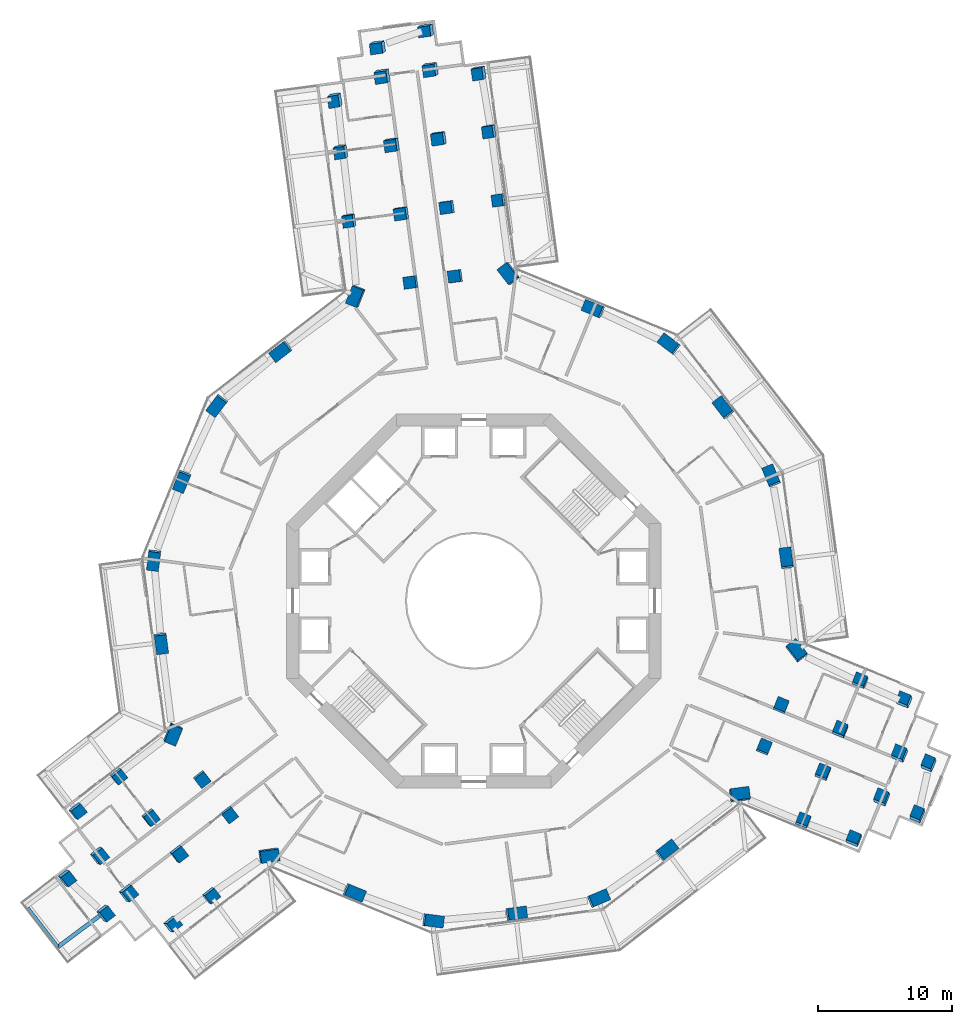
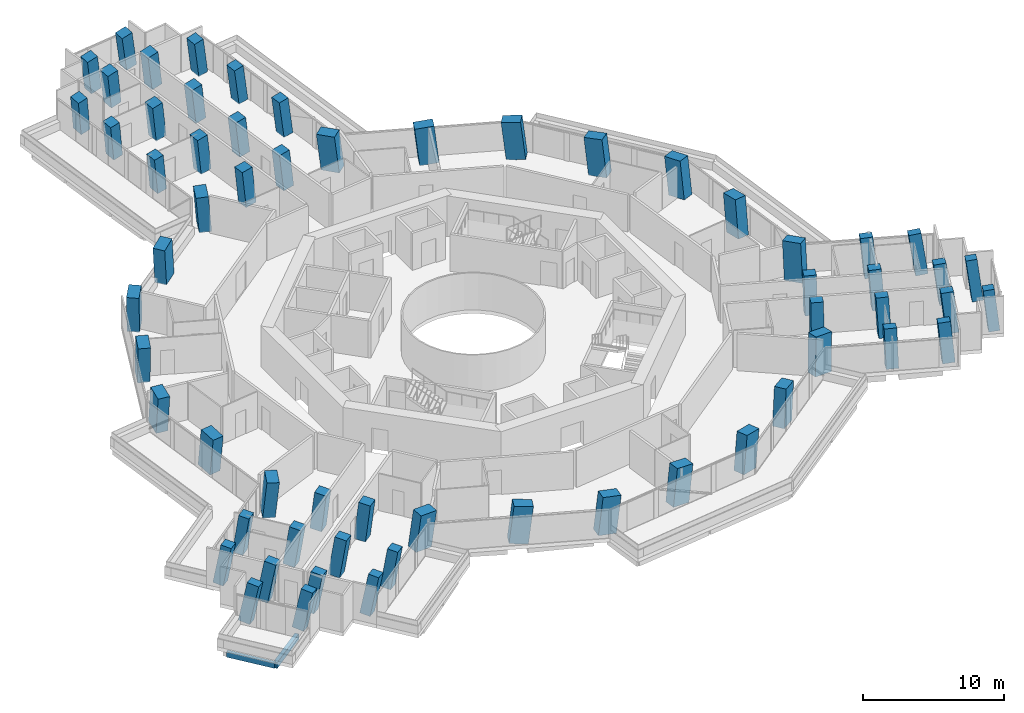
# One storey, part 1 of 27: 61 columns, 2 beams.
"""IFC4 building model written with IfcOpenShell, lengths in metres."""

from ifc_helpers import new_model, si_unit, direction, frame, origin, origin_2d, place, context, subcontext, project, spatial, rectangle, extrude, material, material_profile, profile_set, type_object, element, save


model = new_model("IFC4")

# Units and contexts
model_context = context("Model", 3, precision=1e-05, world=origin(), true_north=direction((0.0, 1.0)))
body_context = subcontext(model_context, "Body", "Model", "MODEL_VIEW")
ifc_project = project(units=[si_unit("LENGTHUNIT", "METRE"), si_unit("AREAUNIT", "SQUARE_METRE"), si_unit("VOLUMEUNIT", "CUBIC_METRE"), si_unit("PLANEANGLEUNIT", "RADIAN"), si_unit("MASSUNIT", "GRAM", prefix="KILO")], contexts=[model_context])

# Site, building, storey
site_placement = place(None, origin())
site = spatial("IfcSite", under=ifc_project, at=site_placement, CompositionType="ELEMENT")
building_placement = place(site_placement, origin())
building = spatial("IfcBuilding", under=site, at=building_placement, Name="Verdalira Terraces Hotel", CompositionType="ELEMENT")
storey_placement = place(building_placement, frame((0.0, 0.0, 64.5)))
storey = spatial("IfcBuildingStorey", under=building, at=storey_placement, Name="L14", CompositionType="ELEMENT", Elevation=64.5)

# Columns
ifc_material_1 = material(Name="Concrete C80", Category="concrete")
ifc_material_profile_1 = material_profile(ifc_material_1, rectangle(XDim=1.399902, YDim=0.899902, at=origin_2d()), Name="RC 1400X900")
ifc_profile_set_1 = profile_set([ifc_material_profile_1], Name="Concrete C80")
column_type_1 = type_object("IfcColumnType", Name="Column RC 1400X900 C80", PredefinedType="COLUMN", material=ifc_profile_set_1)
column_1_placement = place(storey_placement, frame((-8.807617, 22.8125, 0.0), z_axis=(-0.1080941, -0.04279675, 0.993219061), x_axis=(0.372136105, 0.924694269, 0.080344437)))
element("IfcColumn", 1, at=column_1_placement, inside=storey, type_object=column_type_1, Name="Column C07", PredefinedType="COLUMN", context=body_context, shape_type="SweptSolid", body=[
    extrude(rectangle(XDim=1.399902, YDim=0.899902, at=origin_2d()), origin(), (0.0, 0.0, 1.0), 3.21167),
])
column_2_placement = place(storey_placement, frame((-14.430664, 18.68457, 0.0), z_axis=(-0.088294712, -0.06935812, 0.993676756), x_axis=(-0.786596999, -0.607173413, -0.112274703)))
element("IfcColumn", 2, at=column_2_placement, inside=storey, type_object=column_type_1, Name="Column C08", PredefinedType="COLUMN", context=body_context, shape_type="SweptSolid", body=[
    extrude(rectangle(XDim=1.399902, YDim=0.899902, at=origin_2d()), origin(), (0.0, 0.0, 1.0), 3.210205),
])
column_3_placement = place(storey_placement, frame((-19.206543, 14.64209, 0.0), z_axis=(-0.068881333, -0.091917805, 0.993381336), x_axis=(0.602440635, 0.789856126, 0.114858968)))
element("IfcColumn", 3, at=column_3_placement, inside=storey, type_object=column_type_1, Name="Column C09", PredefinedType="COLUMN", context=body_context, shape_type="SweptSolid", body=[
    extrude(rectangle(XDim=1.399902, YDim=0.899902, at=origin_2d()), origin(), (0.0, 0.0, 1.0), 3.211182),
])
column_4_placement = place(storey_placement, frame((-21.8396, 8.966064, 0.0), z_axis=(-0.041751597, -0.104264917, 0.993672799), x_axis=(-0.377203026, -0.919295603, -0.112309715)))
element("IfcColumn", 4, at=column_4_placement, inside=storey, type_object=column_type_1, Name="Column C10", PredefinedType="COLUMN", context=body_context, shape_type="SweptSolid", body=[
    extrude(rectangle(XDim=1.399902, YDim=0.899902, at=origin_2d()), origin(), (0.0, 0.0, 1.0), 3.210205),
])
column_5_placement = place(storey_placement, frame((-23.954346, 3.077148, 0.0), z_axis=(-0.013685038, -0.11404198, 0.993381672), x_axis=(0.126725729, 0.985265789, 0.114856063)))
element("IfcColumn", 5, at=column_5_placement, inside=storey, type_object=column_type_1, Name="Column C11", PredefinedType="COLUMN", context=body_context, shape_type="SweptSolid", body=[
    extrude(rectangle(XDim=1.399902, YDim=0.899902, at=origin_2d()), origin(), (0.0, 0.0, 1.0), 3.211182),
])
column_6_placement = place(storey_placement, frame((-23.396484, -3.155029, 0.0), z_axis=(0.015894502, -0.111185465, 0.99367256), x_axis=(0.132268988, -0.984830426, -0.112311825)))
element("IfcColumn", 6, at=column_6_placement, inside=storey, type_object=column_type_1, Name="Column C12", PredefinedType="COLUMN", context=body_context, shape_type="SweptSolid", body=[
    extrude(rectangle(XDim=1.399902, YDim=0.899902, at=origin_2d()), origin(), (0.0, 0.0, 1.0), 3.210205),
])
column_7_placement = place(storey_placement, frame((-22.53125, -9.946777, 0.0), z_axis=(0.048189103, -0.106715301, 0.993121168), x_axis=(0.384858394, 0.91949082, 0.080128952)))
element("IfcColumn", 7, at=column_7_placement, inside=storey, type_object=column_type_1, Name="Column C13", PredefinedType="COLUMN", context=body_context, shape_type="SweptSolid", body=[
    extrude(rectangle(XDim=1.399902, YDim=0.899902, at=origin_2d()), origin(), (0.0, 0.0, 1.0), 3.212158),
])
column_8_placement = place(storey_placement, frame((-15.352295, -19.033936, 0.0), z_axis=(0.091066973, -0.072215046, 0.993222932), x_axis=(-0.986912267, -0.139830688, 0.080321578)))
element("IfcColumn", 8, at=column_8_placement, inside=storey, type_object=column_type_1, Name="Column C20", PredefinedType="COLUMN", context=body_context, shape_type="SweptSolid", body=[
    extrude(rectangle(XDim=1.399902, YDim=0.899902, at=origin_2d()), origin(), (0.0, 0.0, 1.0), 3.21167),
])
column_9_placement = place(storey_placement, frame((-8.966064, -21.8396, 0.0), z_axis=(0.104264917, -0.041751597, 0.993672799), x_axis=(0.919295603, -0.377203026, -0.112309715)))
element("IfcColumn", 9, at=column_9_placement, inside=storey, type_object=column_type_1, Name="Column C21", PredefinedType="COLUMN", context=body_context, shape_type="SweptSolid", body=[
    extrude(rectangle(XDim=1.399902, YDim=0.899902, at=origin_2d()), origin(), (0.0, 0.0, 1.0), 3.210205),
])
column_10_placement = place(storey_placement, frame((-3.077148, -23.954346, 0.0), z_axis=(0.11404198, -0.013685038, 0.993381672), x_axis=(-0.985265789, 0.126725729, 0.114856063)))
element("IfcColumn", 10, at=column_10_placement, inside=storey, type_object=column_type_1, Name="Column C22", PredefinedType="COLUMN", context=body_context, shape_type="SweptSolid", body=[
    extrude(rectangle(XDim=1.399902, YDim=0.899902, at=origin_2d()), origin(), (0.0, 0.0, 1.0), 3.211182),
])
column_11_placement = place(storey_placement, frame((3.155029, -23.396484, 0.0), z_axis=(0.111185465, 0.015894502, 0.99367256), x_axis=(0.984830426, 0.132268988, -0.112311825)))
element("IfcColumn", 11, at=column_11_placement, inside=storey, type_object=column_type_1, Name="Column C23", PredefinedType="COLUMN", context=body_context, shape_type="SweptSolid", body=[
    extrude(rectangle(XDim=1.399902, YDim=0.899902, at=origin_2d()), origin(), (0.0, 0.0, 1.0), 3.210205),
])
column_12_placement = place(storey_placement, frame((9.312256, -22.283691, 0.0), z_axis=(0.105602947, 0.045160656, 0.99338237), x_axis=(-0.916651807, -0.382830166, 0.114850029)))
element("IfcColumn", 12, at=column_12_placement, inside=storey, type_object=column_type_1, Name="Column C24", PredefinedType="COLUMN", context=body_context, shape_type="SweptSolid", body=[
    extrude(rectangle(XDim=1.399902, YDim=0.899902, at=origin_2d()), origin(), (0.0, 0.0, 1.0), 3.211182),
])
column_13_placement = place(storey_placement, frame((14.430664, -18.68457, 0.0), z_axis=(0.088294712, 0.06935812, 0.993676756), x_axis=(0.786596999, 0.607173413, -0.112274703)))
element("IfcColumn", 13, at=column_13_placement, inside=storey, type_object=column_type_1, Name="Column C25", PredefinedType="COLUMN", context=body_context, shape_type="SweptSolid", body=[
    extrude(rectangle(XDim=1.399902, YDim=0.899902, at=origin_2d()), origin(), (0.0, 0.0, 1.0), 3.210205),
])
column_14_placement = place(storey_placement, frame((19.879639, -14.539307, 0.0), z_axis=(0.06833123, 0.095086061, 0.993121082), x_axis=(-0.988741135, -0.12637341, 0.080129452)))
element("IfcColumn", 14, at=column_14_placement, inside=storey, type_object=column_type_1, Name="Column C26", PredefinedType="COLUMN", context=body_context, shape_type="SweptSolid", body=[
    extrude(rectangle(XDim=1.399902, YDim=0.899902, at=origin_2d()), origin(), (0.0, 0.0, 1.0), 3.212158),
])
column_15_placement = place(storey_placement, frame((24.159912, -3.778564, 0.0), z_axis=(0.017027467, 0.115011417, 0.993218223), x_axis=(0.614451168, -0.784852686, 0.080349384)))
element("IfcColumn", 15, at=column_15_placement, inside=storey, type_object=column_type_1, Name="Column C33", PredefinedType="COLUMN", context=body_context, shape_type="SweptSolid", body=[
    extrude(rectangle(XDim=1.399902, YDim=0.899902, at=origin_2d()), origin(), (0.0, 0.0, 1.0), 3.21167),
])
column_16_placement = place(storey_placement, frame((23.396484, 3.155029, 0.0), z_axis=(-0.015894502, 0.111185465, 0.99367256), x_axis=(-0.132268988, 0.984830426, -0.112311825)))
element("IfcColumn", 16, at=column_16_placement, inside=storey, type_object=column_type_1, Name="Column C34", PredefinedType="COLUMN", context=body_context, shape_type="SweptSolid", body=[
    extrude(rectangle(XDim=1.399902, YDim=0.899902, at=origin_2d()), origin(), (0.0, 0.0, 1.0), 3.210205),
])
column_17_placement = place(storey_placement, frame((22.283691, 9.312256, 0.0), z_axis=(-0.045160656, 0.105602947, 0.99338237), x_axis=(0.382830166, -0.916651807, 0.114850029)))
element("IfcColumn", 17, at=column_17_placement, inside=storey, type_object=column_type_1, Name="Column C35", PredefinedType="COLUMN", context=body_context, shape_type="SweptSolid", body=[
    extrude(rectangle(XDim=1.399902, YDim=0.899902, at=origin_2d()), origin(), (0.0, 0.0, 1.0), 3.211182),
])
column_18_placement = place(storey_placement, frame((18.68457, 14.430664, 0.0), z_axis=(-0.06935812, 0.088294712, 0.993676756), x_axis=(-0.607173413, 0.786596999, -0.112274703)))
element("IfcColumn", 18, at=column_18_placement, inside=storey, type_object=column_type_1, Name="Column C36", PredefinedType="COLUMN", context=body_context, shape_type="SweptSolid", body=[
    extrude(rectangle(XDim=1.399902, YDim=0.899902, at=origin_2d()), origin(), (0.0, 0.0, 1.0), 3.210205),
])
column_19_placement = place(storey_placement, frame((14.64209, 19.206543, 0.0), z_axis=(-0.091917805, 0.068881333, 0.993381336), x_axis=(0.789856126, -0.602440635, 0.114858968)))
element("IfcColumn", 19, at=column_19_placement, inside=storey, type_object=column_type_1, Name="Column C37", PredefinedType="COLUMN", context=body_context, shape_type="SweptSolid", body=[
    extrude(rectangle(XDim=1.399902, YDim=0.899902, at=origin_2d()), origin(), (0.0, 0.0, 1.0), 3.211182),
])
column_20_placement = place(storey_placement, frame((8.966064, 21.8396, 0.0), z_axis=(-0.104264917, 0.041751597, 0.993672799), x_axis=(-0.919295603, 0.377203026, -0.112309715)))
element("IfcColumn", 20, at=column_20_placement, inside=storey, type_object=column_type_1, Name="Column C38", PredefinedType="COLUMN", context=body_context, shape_type="SweptSolid", body=[
    extrude(rectangle(XDim=1.399902, YDim=0.899902, at=origin_2d()), origin(), (0.0, 0.0, 1.0), 3.210205),
])
column_21_placement = place(storey_placement, frame((2.651611, 24.48584, 0.0), z_axis=(-0.116595204, 0.011629118, 0.993111435), x_axis=(0.603892011, -0.793022532, 0.080185427)))
element("IfcColumn", 21, at=column_21_placement, inside=storey, type_object=column_type_1, Name="Column C39", PredefinedType="COLUMN", context=body_context, shape_type="SweptSolid", body=[
    extrude(rectangle(XDim=1.399902, YDim=0.899902, at=origin_2d()), origin(), (0.0, 0.0, 1.0), 3.212158),
])
ifc_material_2 = material(Name="Concrete C80", Category="concrete")
ifc_material_profile_2 = material_profile(ifc_material_2, rectangle(XDim=0.899902, YDim=0.800049, at=origin_2d()), Name="RC 900X800")
ifc_profile_set_2 = profile_set([ifc_material_profile_2], Name="Concrete C80")
column_type_2 = type_object("IfcColumnType", Name="Column RC 900X800 C80", PredefinedType="COLUMN", material=ifc_profile_set_2)
column_22_placement = place(storey_placement, frame((1.90918, 29.989502, 0.0), z_axis=(-0.13679197, -0.027888889, 0.990207133), x_axis=(-0.135147169, 0.990782496, 0.009235215)))
element("IfcColumn", 22, at=column_22_placement, inside=storey, type_object=column_type_2, Name="Column C01", PredefinedType="COLUMN", context=body_context, shape_type="SweptSolid", body=[
    extrude(rectangle(XDim=0.899902, YDim=0.800049, at=origin_2d()), origin(), (0.0, 0.0, 1.0), 3.221436),
])
column_23_placement = place(storey_placement, frame((1.213379, 35.149902, 0.0), z_axis=(-0.155094744, -0.066835576, 0.985636153), x_axis=(-0.141169608, 0.988969066, 0.04484784)))
element("IfcColumn", 23, at=column_23_placement, inside=storey, type_object=column_type_2, Name="Column C02", PredefinedType="COLUMN", context=body_context, shape_type="SweptSolid", body=[
    extrude(rectangle(XDim=0.899902, YDim=0.800049, at=origin_2d()), origin(), (0.0, 0.0, 1.0), 3.236328),
])
column_24_placement = place(storey_placement, frame((0.460693, 39.5354, 0.0), z_axis=(-0.169415621, -0.105369167, 0.979895753), x_axis=(-0.147584583, 0.98576925, 0.080484634)))
element("IfcColumn", 24, at=column_24_placement, inside=storey, type_object=column_type_2, Name="Column C03", PredefinedType="COLUMN", context=body_context, shape_type="SweptSolid", body=[
    extrude(rectangle(XDim=0.899902, YDim=0.800049, at=origin_2d()), origin(), (0.0, 0.0, 1.0), 3.255371),
])
column_25_placement = place(storey_placement, frame((-10.309082, 37.53833, 0.0), z_axis=(-0.158802953, -0.15507168, 0.975056099), x_axis=(0.155878874, -0.979139856, -0.130333872)))
element("IfcColumn", 25, at=column_25_placement, inside=storey, type_object=column_type_2, Name="Column C04", PredefinedType="COLUMN", context=body_context, shape_type="SweptSolid", body=[
    extrude(rectangle(XDim=0.899902, YDim=0.800049, at=origin_2d()), origin(), (0.0, 0.0, 1.0), 3.271484),
])
column_26_placement = place(storey_placement, frame((-9.885986, 33.653076, 0.0), z_axis=(-0.147079078, -0.118670344, 0.98198019), x_axis=(0.148753072, -0.984139744, -0.096651377)))
element("IfcColumn", 26, at=column_26_placement, inside=storey, type_object=column_type_2, Name="Column C05", PredefinedType="COLUMN", context=body_context, shape_type="SweptSolid", body=[
    extrude(rectangle(XDim=0.899902, YDim=0.800049, at=origin_2d()), origin(), (0.0, 0.0, 1.0), 3.248535),
])
column_27_placement = place(storey_placement, frame((-9.279297, 28.480713, 0.0), z_axis=(-0.128972189, -0.080711628, 0.988358137), x_axis=(0.142138052, -0.987895303, -0.062126045)))
element("IfcColumn", 27, at=column_27_placement, inside=storey, type_object=column_type_2, Name="Column C06", PredefinedType="COLUMN", context=body_context, shape_type="SweptSolid", body=[
    extrude(rectangle(XDim=0.899902, YDim=0.800049, at=origin_2d()), origin(), (0.0, 0.0, 1.0), 3.227539),
])
column_28_placement = place(storey_placement, frame((-26.612549, -13.098877, 0.0), z_axis=(0.105489502, -0.091772836, 0.990176606), x_axis=(-0.788757763, -0.614105882, 0.027113775)))
element("IfcColumn", 28, at=column_28_placement, inside=storey, type_object=column_type_2, Name="Column C14", PredefinedType="COLUMN", context=body_context, shape_type="SweptSolid", body=[
    extrude(rectangle(XDim=0.899902, YDim=0.800049, at=origin_2d()), origin(), (0.0, 0.0, 1.0), 3.22168),
])
column_29_placement = place(storey_placement, frame((-29.720459, -15.701416, 0.0), z_axis=(0.159373718, -0.072189136, 0.984575414), x_axis=(-0.781047677, -0.619192026, 0.08102938)))
element("IfcColumn", 29, at=column_29_placement, inside=storey, type_object=column_type_2, Name="Column C15", PredefinedType="COLUMN", context=body_context, shape_type="SweptSolid", body=[
    extrude(rectangle(XDim=0.899902, YDim=0.800049, at=origin_2d()), origin(), (0.0, 0.0, 1.0), 3.23999),
])
column_30_placement = place(storey_placement, frame((-30.523438, -20.731201, 0.0), z_axis=(0.182323085, -0.075405226, 0.980342973), x_axis=(0.588836559, -0.790110613, -0.17028425)))
element("IfcColumn", 30, at=column_30_placement, inside=storey, type_object=column_type_2, Name="Column C16", PredefinedType="COLUMN", context=body_context, shape_type="SweptSolid", body=[
    extrude(rectangle(XDim=0.899902, YDim=0.800049, at=origin_2d()), origin(), (0.0, 0.0, 1.0), 3.253906),
])
column_31_placement = place(storey_placement, frame((-27.653809, -23.366943, 0.0), z_axis=(0.194286462, -0.061740087, 0.978999965), x_axis=(0.587088324, -0.792221369, -0.166471026)))
element("IfcColumn", 31, at=column_31_placement, inside=storey, type_object=column_type_2, Name="Column C17", PredefinedType="COLUMN", context=body_context, shape_type="SweptSolid", body=[
    extrude(rectangle(XDim=0.899902, YDim=0.800049, at=origin_2d()), origin(), (0.0, 0.0, 1.0), 3.258301),
])
column_32_placement = place(storey_placement, frame((-22.624023, -24.169922, 0.0), z_axis=(0.197976725, -0.038156059, 0.979463798), x_axis=(0.771836187, 0.622015609, -0.131778159)))
element("IfcColumn", 32, at=column_32_placement, inside=storey, type_object=column_type_2, Name="Column C18", PredefinedType="COLUMN", context=body_context, shape_type="SweptSolid", body=[
    extrude(rectangle(XDim=0.899902, YDim=0.800049, at=origin_2d()), origin(), (0.0, 0.0, 1.0), 3.256836),
])
column_33_placement = place(storey_placement, frame((-19.705322, -22.041992, 0.0), z_axis=(0.147132379, -0.05856579, 0.987381442), x_axis=(0.782321051, 0.61772488, -0.079935887)))
element("IfcColumn", 33, at=column_33_placement, inside=storey, type_object=column_type_2, Name="Column C19", PredefinedType="COLUMN", context=body_context, shape_type="SweptSolid", body=[
    extrude(rectangle(XDim=0.899902, YDim=0.800049, at=origin_2d()), origin(), (0.0, 0.0, 1.0), 3.230713),
])
column_34_placement = place(storey_placement, frame((24.650146, -16.497803, 0.0), z_axis=(0.026751278, 0.137242391, 0.990176194), x_axis=(0.926161239, -0.376151794, 0.027114341)))
element("IfcColumn", 34, at=column_34_placement, inside=storey, type_object=column_type_2, Name="Column C27", PredefinedType="COLUMN", context=body_context, shape_type="SweptSolid", body=[
    extrude(rectangle(XDim=0.899902, YDim=0.800049, at=origin_2d()), origin(), (0.0, 0.0, 1.0), 3.22168),
])
column_35_placement = place(storey_placement, frame((28.458008, -17.887939, 0.0), z_axis=(-0.017180855, 0.174069185, 0.984583535), x_axis=(0.926794168, -0.366729109, 0.081008213)))
element("IfcColumn", 35, at=column_35_placement, inside=storey, type_object=column_type_2, Name="Column C28", PredefinedType="COLUMN", context=body_context, shape_type="SweptSolid", body=[
    extrude(rectangle(XDim=0.899902, YDim=0.800049, at=origin_2d()), origin(), (0.0, 0.0, 1.0), 3.23999),
])
column_36_placement = place(storey_placement, frame((33.215332, -16.068359, 0.0), z_axis=(-0.025810356, 0.195603485, 0.980343359), x_axis=(0.390060044, 0.904907178, -0.170282593)))
element("IfcColumn", 36, at=column_36_placement, inside=storey, type_object=column_type_2, Name="Column C29", PredefinedType="COLUMN", context=body_context, shape_type="SweptSolid", body=[
    extrude(rectangle(XDim=0.899902, YDim=0.800049, at=origin_2d()), origin(), (0.0, 0.0, 1.0), 3.253906),
])
column_37_placement = place(storey_placement, frame((34.063232, -12.265381, 0.0), z_axis=(-0.043682988, 0.199083534, 0.979008449), x_axis=(0.39246108, 0.90458431, -0.166437755)))
element("IfcColumn", 37, at=column_37_placement, inside=storey, type_object=column_type_2, Name="Column C30", PredefinedType="COLUMN", context=body_context, shape_type="SweptSolid", body=[
    extrude(rectangle(XDim=0.899902, YDim=0.800049, at=origin_2d()), origin(), (0.0, 0.0, 1.0), 3.258301),
])
column_38_placement = place(storey_placement, frame((32.243652, -7.508057, 0.0), z_axis=(-0.065892209, 0.190555172, 0.979462579), x_axis=(-0.924497872, 0.357683073, -0.13178203)))
element("IfcColumn", 38, at=column_38_placement, inside=storey, type_object=column_type_2, Name="Column C31", PredefinedType="COLUMN", context=body_context, shape_type="SweptSolid", body=[
    extrude(rectangle(XDim=0.899902, YDim=0.800049, at=origin_2d()), origin(), (0.0, 0.0, 1.0), 3.256836),
])
column_39_placement = place(storey_placement, frame((28.94165, -6.044189, 0.0), z_axis=(-0.022897485, 0.15665507, 0.987387915), x_axis=(-0.926259522, 0.368316181, -0.079915512)))
element("IfcColumn", 39, at=column_39_placement, inside=storey, type_object=column_type_2, Name="Column C32", PredefinedType="COLUMN", context=body_context, shape_type="SweptSolid", body=[
    extrude(rectangle(XDim=0.899902, YDim=0.800049, at=origin_2d()), origin(), (0.0, 0.0, 1.0), 3.230713),
])
column_40_placement = place(storey_placement, frame((-3.493896, 42.74585, 0.0), z_axis=(-0.183390777, -0.1235294, 0.97524782), x_axis=(-0.974001293, -0.111390196, -0.197265571)))
element("IfcColumn", 40, at=column_40_placement, inside=storey, type_object=column_type_2, Name="Column C40", PredefinedType="COLUMN", context=body_context, shape_type="SweptSolid", body=[
    extrude(rectangle(XDim=0.899902, YDim=0.800049, at=origin_2d()), origin(), (0.0, 0.0, 1.0), 3.270996),
])
column_41_placement = place(storey_placement, frame((-7.098877, 41.49292, 0.0), z_axis=(-0.177145733, -0.140165816, 0.974152418), x_axis=(-0.975165795, -0.108694303, -0.19296948)))
element("IfcColumn", 41, at=column_41_placement, inside=storey, type_object=column_type_2, Name="Column C41", PredefinedType="COLUMN", context=body_context, shape_type="SweptSolid", body=[
    extrude(rectangle(XDim=0.899902, YDim=0.800049, at=origin_2d()), origin(), (0.0, 0.0, 1.0), 3.274658),
])
ifc_material_3 = material(Name="Concrete C80", Category="concrete")
ifc_material_profile_3 = material_profile(ifc_material_3, rectangle(XDim=0.899902, YDim=0.899902, at=origin_2d()), Name="RC 900X900")
ifc_profile_set_3 = profile_set([ifc_material_profile_3], Name="Concrete C80")
column_type_3 = type_object("IfcColumnType", Name="Column RC 900X900 C80", PredefinedType="COLUMN", material=ifc_profile_set_3)
for number, where, z_axis, x_axis, name in (
    (42, (-1.352539, 24.29541, 0.0), (-0.115475042, -0.007373982, 0.993283011), (-0.132491327, 0.991151517, -0.008044744), "Column C42"),
    (43, (-4.678955, 23.846924, 0.0), (-0.113196595, -0.023186677, 0.993302023), (-0.134455157, 0.990888918, 0.007807852), "Column C43"),
):
    element("IfcColumn", number, at=place(storey_placement, frame(where, z_axis=z_axis, x_axis=x_axis)), inside=storey, type_object=column_type_3, Name=name, PredefinedType="COLUMN", context=body_context, shape_type="SweptSolid", body=[
        extrude(rectangle(XDim=0.899902, YDim=0.899902, at=origin_2d()), origin(), (0.0, 0.0, 1.0), 3.211426),
    ])
column_42_placement = place(storey_placement, frame((-1.953613, 29.468506, 0.0), z_axis=(-0.134171411, -0.046137995, 0.989883487), x_axis=(-0.137366744, 0.990137583, 0.027530789)))
element("IfcColumn", 44, at=column_42_placement, inside=storey, type_object=column_type_3, Name="Column C44", PredefinedType="COLUMN", context=body_context, shape_type="SweptSolid", body=[
    extrude(rectangle(XDim=0.899902, YDim=0.899902, at=origin_2d()), origin(), (0.0, 0.0, 1.0), 3.222656),
])
column_43_placement = place(storey_placement, frame((-5.374756, 29.00708, 0.0), z_axis=(-0.131748772, -0.062239937, 0.989327272), x_axis=(-0.13924561, 0.989293412, 0.043694461)))
element("IfcColumn", 45, at=column_43_placement, inside=storey, type_object=column_type_3, Name="Column C45", PredefinedType="COLUMN", context=body_context, shape_type="SweptSolid", body=[
    extrude(rectangle(XDim=0.899902, YDim=0.899902, at=origin_2d()), origin(), (0.0, 0.0, 1.0), 3.224365),
])
column_44_placement = place(storey_placement, frame((-2.554688, 34.641602, 0.0), z_axis=(-0.152459252, -0.084481869, 0.984692333), x_axis=(-0.143571109, 0.987663967, 0.062507803)))
element("IfcColumn", 46, at=column_44_placement, inside=storey, type_object=column_type_3, Name="Column C46", PredefinedType="COLUMN", context=body_context, shape_type="SweptSolid", body=[
    extrude(rectangle(XDim=0.899902, YDim=0.899902, at=origin_2d()), origin(), (0.0, 0.0, 1.0), 3.239502),
])
column_45_placement = place(storey_placement, frame((-6.070557, 34.16748, 0.0), z_axis=(-0.149873023, -0.100868835, 0.983546417), x_axis=(-0.145936042, 0.98614293, 0.078897357)))
element("IfcColumn", 47, at=column_45_placement, inside=storey, type_object=column_type_3, Name="Column C47", PredefinedType="COLUMN", context=body_context, shape_type="SweptSolid", body=[
    extrude(rectangle(XDim=0.899902, YDim=0.899902, at=origin_2d()), origin(), (0.0, 0.0, 1.0), 3.243408),
])
column_46_placement = place(storey_placement, frame((-3.156006, 39.814697, 0.0), z_axis=(-0.170178475, -0.122133365, 0.977815283), x_axis=(-0.151004279, 0.983801845, 0.096600404)))
element("IfcColumn", 48, at=column_46_placement, inside=storey, type_object=column_type_3, Name="Column C48", PredefinedType="COLUMN", context=body_context, shape_type="SweptSolid", body=[
    extrude(rectangle(XDim=0.899902, YDim=0.899902, at=origin_2d()), origin(), (0.0, 0.0, 1.0), 3.262207),
])
column_47_placement = place(storey_placement, frame((-6.766602, 39.327881, 0.0), z_axis=(-0.167409229, -0.138798013, 0.976068267), x_axis=(-0.154102973, 0.981554856, 0.113147418)))
element("IfcColumn", 49, at=column_47_placement, inside=storey, type_object=column_type_3, Name="Column C49", PredefinedType="COLUMN", context=body_context, shape_type="SweptSolid", body=[
    extrude(rectangle(XDim=0.899902, YDim=0.899902, at=origin_2d()), origin(), (0.0, 0.0, 1.0), 3.268066),
])
for number, where, z_axis, x_axis, name in (
    (50, (-20.364258, -13.319092, 0.0), (0.064161089, -0.096317654, 0.993280557), (-0.791953078, -0.610528935, -0.008046209), "Column C50"),
    (51, (-18.3125, -15.975586, 0.0), (0.076630357, -0.086437218, 0.993305792), (-0.791096486, -0.611641579, 0.007805662), "Column C51"),
):
    element("IfcColumn", number, at=place(storey_placement, frame(where, z_axis=z_axis, x_axis=x_axis)), inside=storey, type_object=column_type_3, Name=name, PredefinedType="COLUMN", context=body_context, shape_type="SweptSolid", body=[
        extrude(rectangle(XDim=0.899902, YDim=0.899902, at=origin_2d()), origin(), (0.0, 0.0, 1.0), 3.211426),
    ])
column_48_placement = place(storey_placement, frame((-24.228516, -16.185791, 0.0), z_axis=(0.119961103, -0.080277001, 0.989527633), x_axis=(-0.78658481, -0.615811024, 0.04539956)))
element("IfcColumn", 52, at=column_48_placement, inside=storey, type_object=column_type_3, Name="Column C52", PredefinedType="COLUMN", context=body_context, shape_type="SweptSolid", body=[
    extrude(rectangle(XDim=0.899902, YDim=0.899902, at=origin_2d()), origin(), (0.0, 0.0, 1.0), 3.223633),
])
column_49_placement = place(storey_placement, frame((-22.119873, -18.916016, 0.0), z_axis=(0.132646035, -0.070144252, 0.988678316), x_axis=(-0.784722381, -0.616786614, 0.061522818)))
element("IfcColumn", 53, at=column_49_placement, inside=storey, type_object=column_type_3, Name="Column C53", PredefinedType="COLUMN", context=body_context, shape_type="SweptSolid", body=[
    extrude(rectangle(XDim=0.899902, YDim=0.899902, at=origin_2d()), origin(), (0.0, 0.0, 1.0), 3.226562),
])
column_50_placement = place(storey_placement, frame((-28.092529, -19.05249, 0.0), z_axis=(0.174756282, -0.06421767, 0.982515309), x_axis=(-0.777890181, -0.620744984, 0.097788196)))
element("IfcColumn", 54, at=column_50_placement, inside=storey, type_object=column_type_3, Name="Column C54", PredefinedType="COLUMN", context=body_context, shape_type="SweptSolid", body=[
    extrude(rectangle(XDim=0.899902, YDim=0.899902, at=origin_2d()), origin(), (0.0, 0.0, 1.0), 3.246826),
])
column_51_placement = place(storey_placement, frame((-25.927002, -21.856201, 0.0), z_axis=(0.187509277, -0.053895781, 0.980783113), x_axis=(-0.775136818, -0.621414986, 0.114045294)))
element("IfcColumn", 55, at=column_51_placement, inside=storey, type_object=column_type_3, Name="Column C55", PredefinedType="COLUMN", context=body_context, shape_type="SweptSolid", body=[
    extrude(rectangle(XDim=0.899902, YDim=0.899902, at=origin_2d()), origin(), (0.0, 0.0, 1.0), 3.252441),
])
for number, where, z_axis, x_axis, name in (
    (56, (21.716797, -10.976318, 0.0), (0.05131389, 0.103692069, 0.993284873), (0.924720019, -0.380562985, -0.008043632), "Column C56"),
    (57, (22.991455, -7.871338, 0.0), (0.036566468, 0.109623383, 0.993300361), (0.925210726, -0.379373345, 0.007808817), "Column C57"),
):
    element("IfcColumn", number, at=place(storey_placement, frame(where, z_axis=z_axis, x_axis=x_axis)), inside=storey, type_object=column_type_3, Name=name, PredefinedType="COLUMN", context=body_context, shape_type="SweptSolid", body=[
        extrude(rectangle(XDim=0.899902, YDim=0.899902, at=origin_2d()), origin(), (0.0, 0.0, 1.0), 3.211426),
    ])
column_52_placement = place(storey_placement, frame((26.131592, -12.889404, 0.0), z_axis=(0.009542442, 0.1439697, 0.989536087), x_axis=(0.926587506, -0.373331125, 0.045381329)))
element("IfcColumn", 58, at=column_52_placement, inside=storey, type_object=column_type_3, Name="Column C58", PredefinedType="COLUMN", context=body_context, shape_type="SweptSolid", body=[
    extrude(rectangle(XDim=0.899902, YDim=0.899902, at=origin_2d()), origin(), (0.0, 0.0, 1.0), 3.223633),
])
column_53_placement = place(storey_placement, frame((27.44165, -9.698486, 0.0), z_axis=(-0.00559941, 0.149973383, 0.988674178), x_axis=(0.926568653, -0.371058081, 0.061533996)))
element("IfcColumn", 59, at=column_53_placement, inside=storey, type_object=column_type_3, Name="Column C59", PredefinedType="COLUMN", context=body_context, shape_type="SweptSolid", body=[
    extrude(rectangle(XDim=0.899902, YDim=0.899902, at=origin_2d()), origin(), (0.0, 0.0, 1.0), 3.226562),
])
column_54_placement = place(storey_placement, frame((30.546143, -14.80249, 0.0), z_axis=(-0.031733166, 0.183405668, 0.982524996), x_axis=(0.926483061, -0.36341692, 0.097761344)))
element("IfcColumn", 60, at=column_54_placement, inside=storey, type_object=column_type_3, Name="Column C60", PredefinedType="COLUMN", context=body_context, shape_type="SweptSolid", body=[
    extrude(rectangle(XDim=0.899902, YDim=0.899902, at=origin_2d()), origin(), (0.0, 0.0, 1.0), 3.246582),
])
column_55_placement = place(storey_placement, frame((31.891602, -11.525391, 0.0), z_axis=(-0.04714013, 0.18931116, 0.980784937), x_axis=(0.925849426, -0.360274524, 0.114039935)))
element("IfcColumn", 61, at=column_55_placement, inside=storey, type_object=column_type_3, Name="Column C61", PredefinedType="COLUMN", context=body_context, shape_type="SweptSolid", body=[
    extrude(rectangle(XDim=0.899902, YDim=0.899902, at=origin_2d()), origin(), (0.0, 0.0, 1.0), 3.252441),
])

# Beams
ifc_material_4 = material(Name="Concrete C40", Category="concrete")
ifc_material_profile_4 = material_profile(ifc_material_4, rectangle(XDim=0.300049, YDim=0.5, at=origin_2d()), Name="RC 300X500")
ifc_profile_set_4 = profile_set([ifc_material_profile_4], Name="Concrete C40")
beam_type_1 = type_object("IfcBeamType", Name="Balcony cantilever beam RC 300X500 C40", PredefinedType="BEAM", material=ifc_profile_set_4)
beam_1_placement = place(storey_placement, frame((-28.020264, -23.588135, -0.560059), z_axis=(-0.801565711, -0.59790669, 0.0), x_axis=(0.59790669, -0.801565711, 0.0)))
element("IfcBeam", 62, at=beam_1_placement, inside=storey, type_object=beam_type_1, Name="Balcony cantilever beam R19-2", PredefinedType="BEAM", context=body_context, shape_type="SweptSolid", body=[
    extrude(rectangle(XDim=0.300049, YDim=0.5, at=origin_2d()), origin(), (0.0, 0.0, 1.0), 3.885254),
])
ifc_material_5 = material(Name="Concrete C40", Category="concrete")
ifc_material_profile_5 = material_profile(ifc_material_5, rectangle(XDim=0.25, YDim=0.449951, at=origin_2d()), Name="RC 250X450")
ifc_profile_set_5 = profile_set([ifc_material_profile_5], Name="Concrete C40")
beam_type_2 = type_object("IfcBeamType", Name="Balcony edge beam RC 250X450 C40", PredefinedType="BEAM", material=ifc_profile_set_5)
beam_2_placement = place(storey_placement, frame((-33.383789, -22.998779, -0.534912), z_axis=(0.611245439, -0.791441099, 0.0), x_axis=(0.791441099, 0.611245439, 0.0)))
element("IfcBeam", 63, at=beam_2_placement, inside=storey, type_object=beam_type_2, Name="Balcony edge beam R19-1", PredefinedType="BEAM", context=body_context, shape_type="SweptSolid", body=[
    extrude(rectangle(XDim=0.25, YDim=0.449951, at=origin_2d()), origin(), (0.0, 0.0, 1.0), 3.679932),
])

save(model, "model.ifc")
